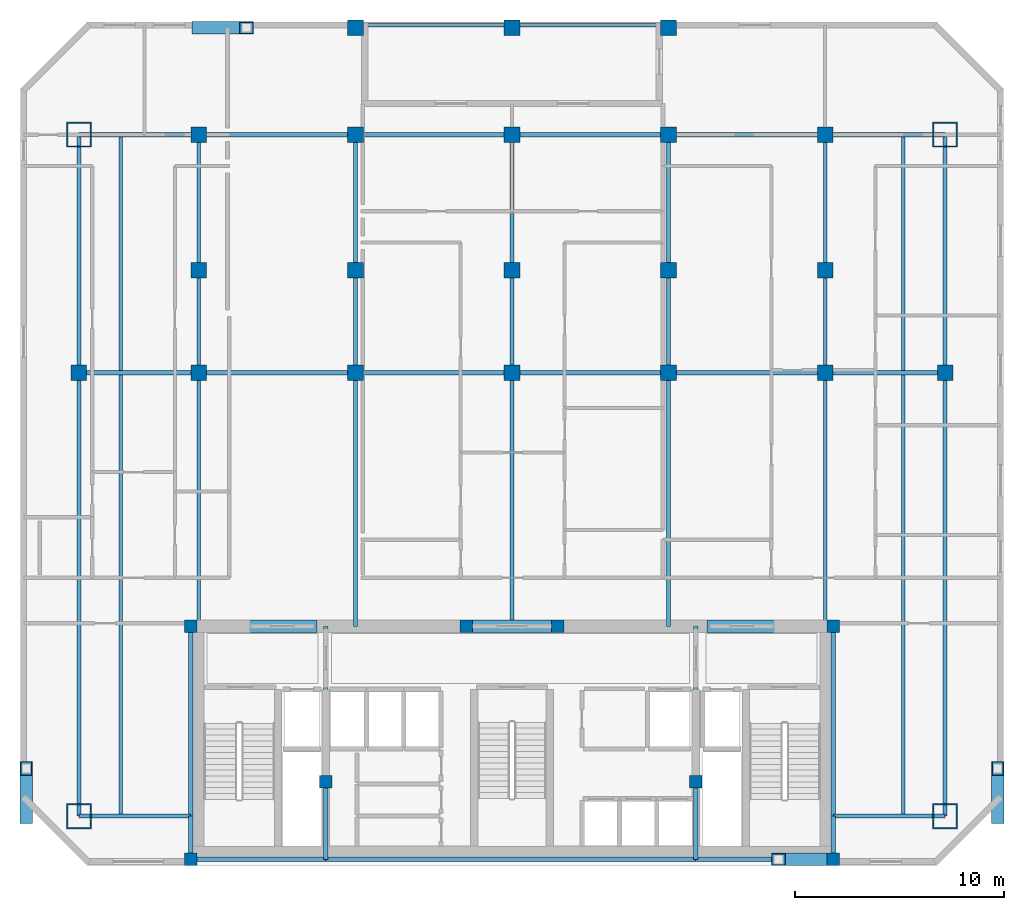
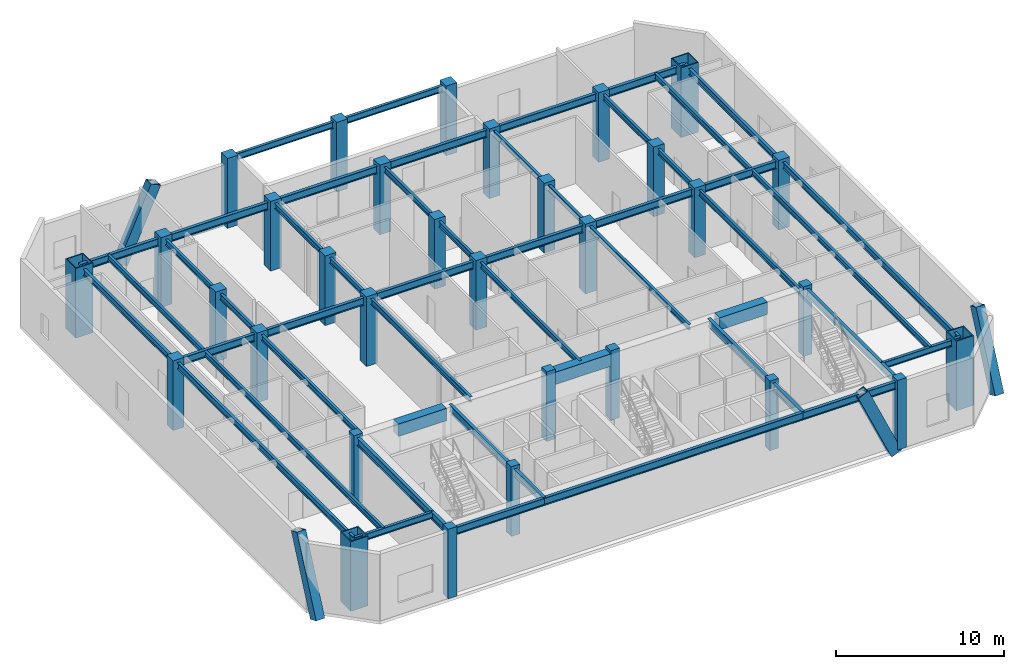
# One storey, part 1 of 8: 48 beams, 32 columns, 4 members.
"""IFC4 building model written with IfcOpenShell, lengths in metres."""

from ifc_helpers import new_model, si_unit, direction, frame, origin, origin_2d, place, context, subcontext, project, spatial, rectangle, hollow_rectangle, i_section, extrude, material, material_profile, profile_set, type_object, element, save


model = new_model("IFC4")

# Units and contexts
model_context = context("Model", 3, precision=1e-05, world=origin(), true_north=direction((0.0, 1.0)))
body_context = subcontext(model_context, "Body", "Model", "MODEL_VIEW")
ifc_project = project(units=[si_unit("LENGTHUNIT", "METRE"), si_unit("AREAUNIT", "SQUARE_METRE"), si_unit("VOLUMEUNIT", "CUBIC_METRE"), si_unit("PLANEANGLEUNIT", "RADIAN"), si_unit("MASSUNIT", "GRAM", prefix="KILO")], contexts=[model_context])

# Site, building, storey
site_placement = place(None, origin())
site = spatial("IfcSite", under=ifc_project, at=site_placement, CompositionType="ELEMENT")
building_placement = place(site_placement, origin())
building = spatial("IfcBuilding", under=site, at=building_placement, Name="Ventersveld Concourse Tower", CompositionType="ELEMENT")
storey_placement = place(building_placement, frame((0.0, 0.0, 187.550048828125)))
storey = spatial("IfcBuildingStorey", under=building, at=storey_placement, Name="L46", CompositionType="ELEMENT", Elevation=187.550048828125)

# Columns
ifc_material_1 = material(Name="Concrete C50/60", Category="concrete")
ifc_material_profile_1 = material_profile(ifc_material_1, rectangle(XDim=0.60009765625, YDim=0.60009765625, at=origin_2d()), Name="RC 600x600")
ifc_profile_set_1 = profile_set([ifc_material_profile_1], Name="Concrete C50/60")
column_type_1 = type_object("IfcColumnType", Name="COL-RC600", PredefinedType="COLUMN", material=ifc_profile_set_1)
for number, where, z_axis, x_axis, name in (
    (1, (13.35009765625, 0.280029296875, 0.0), (0.0, 0.0, 1.0), (1.0, 0.0, 0.0), "L46 Core Spine Column CC-SW"),
    (2, (44.14990234375, 0.280029296875, 0.0), (0.0, 0.0, 1.0), (1.0, 0.0, 0.0), "L46 Core Spine Column CC-SE"),
    (3, (13.35009765625, 11.449951171875, 0.0), (0.0, 0.0, 1.0), (1.0, 0.0, 0.0), "L46 Core Spine Column CC-NW"),
    (4, (44.14990234375, 11.449951171875, 0.0), (0.0, 0.0, 1.0), (1.0, 0.0, 0.0), "L46 Core Spine Column CC-NE"),
    (5, (19.820068359375, 4.0, 0.0), (0.0, 0.0, 1.0), (1.0, 0.0, 0.0), "L46 Core Spine Column CM-1"),
    (6, (37.550048828125, 4.0, 0.0), (0.0, 0.0, 1.0), (1.0, 0.0, 0.0), "L46 Core Spine Column CM-2"),
    (7, (26.550048828125, 11.449951171875, 0.0), (0.0, 0.0, 1.0), (1.0, 0.0, 0.0), "L46 Core Spine Column CM-3"),
    (8, (30.949951171875, 11.449951171875, 0.0), (0.0, 0.0, 1.0), (1.0, 0.0, 0.0), "L46 Core Spine Column CM-4"),
):
    element("IfcColumn", number, at=place(storey_placement, frame(where, z_axis=z_axis, x_axis=x_axis)), inside=storey, type_object=column_type_1, Name=name, PredefinedType="COLUMN", context=body_context, shape_type="SweptSolid", body=[
        extrude(rectangle(XDim=0.60009765625, YDim=0.60009765625, at=origin_2d()), origin(), (0.0, 0.0, 1.0), 5.050048828125),
    ])
ifc_material_profile_2 = material_profile(ifc_material_1, rectangle(XDim=0.75, YDim=0.75, at=origin_2d()), Name="RC 750x750")
ifc_profile_set_2 = profile_set([ifc_material_profile_2], Name="Concrete C50/60")
column_type_2 = type_object("IfcColumnType", Name="COL-RC750", PredefinedType="COLUMN", material=ifc_profile_set_2)
for number, where, z_axis, x_axis, name in (
    (9, (8.0, 23.60009765625, 0.0), (0.0, 0.0, 1.0), (1.0, 0.0, 0.0), "L46 Interior Gravity Column X=8.00 Y=23.60"),
    (10, (13.75, 23.60009765625, 0.0), (0.0, 0.0, 1.0), (1.0, 0.0, 0.0), "L46 Interior Gravity Column X=13.75 Y=23.60"),
    (11, (21.25, 23.60009765625, 0.0), (0.0, 0.0, 1.0), (1.0, 0.0, 0.0), "L46 Interior Gravity Column X=21.25 Y=23.60"),
    (12, (28.75, 23.60009765625, 0.0), (0.0, 0.0, 1.0), (1.0, 0.0, 0.0), "L46 Interior Gravity Column X=28.75 Y=23.60"),
    (13, (36.25, 23.60009765625, 0.0), (0.0, 0.0, 1.0), (1.0, 0.0, 0.0), "L46 Interior Gravity Column X=36.25 Y=23.60"),
    (14, (43.75, 23.60009765625, 0.0), (0.0, 0.0, 1.0), (1.0, 0.0, 0.0), "L46 Interior Gravity Column X=43.75 Y=23.60"),
    (15, (49.5, 23.60009765625, 0.0), (0.0, 0.0, 1.0), (1.0, 0.0, 0.0), "L46 Interior Gravity Column X=49.50 Y=23.60"),
    (16, (13.75, 28.5, 0.0), (0.0, 0.0, 1.0), (1.0, 0.0, 0.0), "L46 Upper-North Gravity Column X=13.75 Y=28.50"),
    (17, (21.25, 28.5, 0.0), (0.0, 0.0, 1.0), (1.0, 0.0, 0.0), "L46 Upper-North Gravity Column X=21.25 Y=28.50"),
    (18, (28.75, 28.5, 0.0), (0.0, 0.0, 1.0), (1.0, 0.0, 0.0), "L46 Upper-North Gravity Column X=28.75 Y=28.50"),
    (19, (36.25, 28.5, 0.0), (0.0, 0.0, 1.0), (1.0, 0.0, 0.0), "L46 Upper-North Gravity Column X=36.25 Y=28.50"),
    (20, (43.75, 28.5, 0.0), (0.0, 0.0, 1.0), (1.0, 0.0, 0.0), "L46 Upper-North Gravity Column X=43.75 Y=28.50"),
    (21, (21.25, 40.1201171875, 0.0), (0.0, 0.0, 1.0), (1.0, 0.0, 0.0), "L46 North Brace Node Column X=21.25 Y=40.12"),
    (22, (28.75, 40.1201171875, 0.0), (0.0, 0.0, 1.0), (1.0, 0.0, 0.0), "L46 North Brace Node Column X=28.75 Y=40.12"),
    (23, (36.25, 40.1201171875, 0.0), (0.0, 0.0, 1.0), (1.0, 0.0, 0.0), "L46 North Brace Node Column X=36.25 Y=40.12"),
    (24, (13.75, 35.0, 0.0), (0.0, 0.0, 1.0), (1.0, 0.0, 0.0), "L46 Mid-North Column X=13.75 Y=35.00"),
    (25, (21.25, 35.0, 0.0), (0.0, 0.0, 1.0), (1.0, 0.0, 0.0), "L46 Mid-North Column X=21.25 Y=35.00"),
    (26, (28.75, 35.0, 0.0), (0.0, 0.0, 1.0), (1.0, 0.0, 0.0), "L46 Mid-North Column X=28.75 Y=35.00"),
    (27, (36.25, 35.0, 0.0), (0.0, 0.0, 1.0), (1.0, 0.0, 0.0), "L46 Mid-North Column X=36.25 Y=35.00"),
    (28, (43.75, 35.0, 0.0), (0.0, 0.0, 1.0), (1.0, 0.0, 0.0), "L46 Mid-North Column X=43.75 Y=35.00"),
):
    element("IfcColumn", number, at=place(storey_placement, frame(where, z_axis=z_axis, x_axis=x_axis)), inside=storey, type_object=column_type_2, Name=name, PredefinedType="COLUMN", context=body_context, shape_type="SweptSolid", body=[
        extrude(rectangle(XDim=0.75, YDim=0.75, at=origin_2d()), origin(), (0.0, 0.0, 1.0), 5.050048828125),
    ])
ifc_material_2 = material(Name="Structural steel S460ML", Category="steel")
ifc_material_profile_3 = material_profile(ifc_material_2, hollow_rectangle(XDim=1.199951171875, YDim=1.199951171875, WallThickness=0.070068359375, at=origin_2d()), Name="BOX 1200x1200x70")
ifc_profile_set_3 = profile_set([ifc_material_profile_3], Name="Structural steel S460ML")
column_type_3 = type_object("IfcColumnType", Name="MC-1200", PredefinedType="USERDEFINED", material=ifc_profile_set_3)
for number, where, z_axis, x_axis, name in (
    (29, (8.0, 2.35009765625, 0.0), (0.0, 0.0, 1.0), (1.0, 0.0, 0.0), "L46 Corner Mega-Column MC-SW"),
    (30, (49.5, 2.35009765625, 0.0), (0.0, 0.0, 1.0), (1.0, 0.0, 0.0), "L46 Corner Mega-Column MC-SE"),
    (31, (49.5, 35.0, 0.0), (0.0, 0.0, 1.0), (1.0, 0.0, 0.0), "L46 Corner Mega-Column MC-NE"),
    (32, (8.0, 35.0, 0.0), (0.0, 0.0, 1.0), (1.0, 0.0, 0.0), "L46 Corner Mega-Column MC-NW"),
):
    element("IfcColumn", number, at=place(storey_placement, frame(where, z_axis=z_axis, x_axis=x_axis)), inside=storey, type_object=column_type_3, Name=name, ObjectType="MEGA_COLUMN", PredefinedType="USERDEFINED", context=body_context, shape_type="SweptSolid", body=[
        extrude(hollow_rectangle(XDim=1.199951171875, YDim=1.199951171875, WallThickness=0.070068359375, at=origin_2d()), origin(), (0.0, 0.0, 1.0), 5.050048828125),
    ])

# Beams
ifc_material_3 = material(Name="Structural steel S355J2", Category="steel")
ifc_material_profile_4 = material_profile(ifc_material_3, i_section(OverallWidth=0.177978515625, OverallDepth=0.406494140625, WebThickness=0.0078125, FlangeThickness=0.0126953125, FilletRadius=0.01025390625, at=origin_2d()), Name="UB 406x178x60")
ifc_profile_set_4 = profile_set([ifc_material_profile_4], Name="Structural steel S355J2")
beam_type_1 = type_object("IfcBeamType", Name="BM-UB406", PredefinedType="BEAM", material=ifc_profile_set_4)
beam_1_placement = place(storey_placement, frame((10.0, 2.35009765625, 4.626708984375), z_axis=(0.0, 1.0, 0.0), x_axis=(-1.0, 0.0, 0.0)))
element("IfcBeam", 33, at=beam_1_placement, inside=storey, type_object=beam_type_1, Name="L46 N-S Composite Floor Beam South X=10.00", PredefinedType="BEAM", context=body_context, shape_type="SweptSolid", body=[
    extrude(i_section(OverallWidth=0.177978515625, OverallDepth=0.406494140625, WebThickness=0.0078125, FlangeThickness=0.0126953125, FilletRadius=0.01025390625, at=origin_2d()), origin(), (0.0, 0.0, 1.0), 21.15478515625),
])
beam_2_placement = place(storey_placement, frame((10.0, 23.695068359375, 4.626708984375), z_axis=(0.0, 1.0, 0.0), x_axis=(-1.0, 0.0, 0.0)))
element("IfcBeam", 34, at=beam_2_placement, inside=storey, type_object=beam_type_1, Name="L46 N-S Composite Floor Beam Mid X=10.00", PredefinedType="BEAM", context=body_context, shape_type="SweptSolid", body=[
    extrude(i_section(OverallWidth=0.177978515625, OverallDepth=0.406494140625, WebThickness=0.0078125, FlangeThickness=0.0126953125, FilletRadius=0.01025390625, at=origin_2d()), origin(), (0.0, 0.0, 1.0), 11.304931640625),
])
beam_3_placement = place(storey_placement, frame((13.75, 11.449951171875, 4.626708984375), z_axis=(0.0, 1.0, 0.0), x_axis=(-1.0, 0.0, 0.0)))
element("IfcBeam", 35, at=beam_3_placement, inside=storey, type_object=beam_type_1, Name="L46 N-S Composite Floor Beam South X=13.75", PredefinedType="BEAM", context=body_context, shape_type="SweptSolid", body=[
    extrude(i_section(OverallWidth=0.177978515625, OverallDepth=0.406494140625, WebThickness=0.0078125, FlangeThickness=0.0126953125, FilletRadius=0.01025390625, at=origin_2d()), origin(), (0.0, 0.0, 1.0), 12.150146484375),
])
beam_4_placement = place(storey_placement, frame((13.75, 23.60009765625, 4.626708984375), z_axis=(0.0, 1.0, 0.0), x_axis=(-1.0, 0.0, 0.0)))
element("IfcBeam", 36, at=beam_4_placement, inside=storey, type_object=beam_type_1, Name="L46 N-S Composite Floor Beam Mid X=13.75", PredefinedType="BEAM", context=body_context, shape_type="SweptSolid", body=[
    extrude(i_section(OverallWidth=0.177978515625, OverallDepth=0.406494140625, WebThickness=0.0078125, FlangeThickness=0.0126953125, FilletRadius=0.01025390625, at=origin_2d()), origin(), (0.0, 0.0, 1.0), 11.39990234375),
])
beam_5_placement = place(storey_placement, frame((21.25, 11.449951171875, 4.626708984375), z_axis=(0.0, 1.0, 0.0), x_axis=(-1.0, 0.0, 0.0)))
element("IfcBeam", 37, at=beam_5_placement, inside=storey, type_object=beam_type_1, Name="L46 N-S Composite Floor Beam South X=21.25", PredefinedType="BEAM", context=body_context, shape_type="SweptSolid", body=[
    extrude(i_section(OverallWidth=0.177978515625, OverallDepth=0.406494140625, WebThickness=0.0078125, FlangeThickness=0.0126953125, FilletRadius=0.01025390625, at=origin_2d()), origin(), (0.0, 0.0, 1.0), 12.150146484375),
])
beam_6_placement = place(storey_placement, frame((21.25, 23.60009765625, 4.626708984375), z_axis=(0.0, 1.0, 0.0), x_axis=(-1.0, 0.0, 0.0)))
element("IfcBeam", 38, at=beam_6_placement, inside=storey, type_object=beam_type_1, Name="L46 N-S Composite Floor Beam Mid X=21.25", PredefinedType="BEAM", context=body_context, shape_type="SweptSolid", body=[
    extrude(i_section(OverallWidth=0.177978515625, OverallDepth=0.406494140625, WebThickness=0.0078125, FlangeThickness=0.0126953125, FilletRadius=0.01025390625, at=origin_2d()), origin(), (0.0, 0.0, 1.0), 11.39990234375),
])
beam_7_placement = place(storey_placement, frame((28.75, 11.449951171875, 4.626708984375), z_axis=(0.0, 1.0, 0.0), x_axis=(-1.0, 0.0, 0.0)))
element("IfcBeam", 39, at=beam_7_placement, inside=storey, type_object=beam_type_1, Name="L46 N-S Composite Floor Beam South X=28.75", PredefinedType="BEAM", context=body_context, shape_type="SweptSolid", body=[
    extrude(i_section(OverallWidth=0.177978515625, OverallDepth=0.406494140625, WebThickness=0.0078125, FlangeThickness=0.0126953125, FilletRadius=0.01025390625, at=origin_2d()), origin(), (0.0, 0.0, 1.0), 12.150146484375),
])
beam_8_placement = place(storey_placement, frame((28.75, 23.60009765625, 4.626708984375), z_axis=(0.0, 1.0, 0.0), x_axis=(-1.0, 0.0, 0.0)))
element("IfcBeam", 40, at=beam_8_placement, inside=storey, type_object=beam_type_1, Name="L46 N-S Composite Floor Beam Mid X=28.75", PredefinedType="BEAM", context=body_context, shape_type="SweptSolid", body=[
    extrude(i_section(OverallWidth=0.177978515625, OverallDepth=0.406494140625, WebThickness=0.0078125, FlangeThickness=0.0126953125, FilletRadius=0.01025390625, at=origin_2d()), origin(), (0.0, 0.0, 1.0), 11.39990234375),
])
beam_9_placement = place(storey_placement, frame((36.25, 11.449951171875, 4.626708984375), z_axis=(0.0, 1.0, 0.0), x_axis=(-1.0, 0.0, 0.0)))
element("IfcBeam", 41, at=beam_9_placement, inside=storey, type_object=beam_type_1, Name="L46 N-S Composite Floor Beam South X=36.25", PredefinedType="BEAM", context=body_context, shape_type="SweptSolid", body=[
    extrude(i_section(OverallWidth=0.177978515625, OverallDepth=0.406494140625, WebThickness=0.0078125, FlangeThickness=0.0126953125, FilletRadius=0.01025390625, at=origin_2d()), origin(), (0.0, 0.0, 1.0), 12.150146484375),
])
beam_10_placement = place(storey_placement, frame((36.25, 23.60009765625, 4.626708984375), z_axis=(0.0, 1.0, 0.0), x_axis=(-1.0, 0.0, 0.0)))
element("IfcBeam", 42, at=beam_10_placement, inside=storey, type_object=beam_type_1, Name="L46 N-S Composite Floor Beam Mid X=36.25", PredefinedType="BEAM", context=body_context, shape_type="SweptSolid", body=[
    extrude(i_section(OverallWidth=0.177978515625, OverallDepth=0.406494140625, WebThickness=0.0078125, FlangeThickness=0.0126953125, FilletRadius=0.01025390625, at=origin_2d()), origin(), (0.0, 0.0, 1.0), 11.39990234375),
])
beam_11_placement = place(storey_placement, frame((43.75, 11.449951171875, 4.626708984375), z_axis=(0.0, 1.0, 0.0), x_axis=(-1.0, 0.0, 0.0)))
element("IfcBeam", 43, at=beam_11_placement, inside=storey, type_object=beam_type_1, Name="L46 N-S Composite Floor Beam South X=43.75", PredefinedType="BEAM", context=body_context, shape_type="SweptSolid", body=[
    extrude(i_section(OverallWidth=0.177978515625, OverallDepth=0.406494140625, WebThickness=0.0078125, FlangeThickness=0.0126953125, FilletRadius=0.01025390625, at=origin_2d()), origin(), (0.0, 0.0, 1.0), 12.150146484375),
])
beam_12_placement = place(storey_placement, frame((43.75, 23.60009765625, 4.626708984375), z_axis=(0.0, 1.0, 0.0), x_axis=(-1.0, 0.0, 0.0)))
element("IfcBeam", 44, at=beam_12_placement, inside=storey, type_object=beam_type_1, Name="L46 N-S Composite Floor Beam Mid X=43.75", PredefinedType="BEAM", context=body_context, shape_type="SweptSolid", body=[
    extrude(i_section(OverallWidth=0.177978515625, OverallDepth=0.406494140625, WebThickness=0.0078125, FlangeThickness=0.0126953125, FilletRadius=0.01025390625, at=origin_2d()), origin(), (0.0, 0.0, 1.0), 11.39990234375),
])
beam_13_placement = place(storey_placement, frame((47.5, 2.35009765625, 4.626708984375), z_axis=(0.0, 1.0, 0.0), x_axis=(-1.0, 0.0, 0.0)))
element("IfcBeam", 45, at=beam_13_placement, inside=storey, type_object=beam_type_1, Name="L46 N-S Composite Floor Beam South X=47.50", PredefinedType="BEAM", context=body_context, shape_type="SweptSolid", body=[
    extrude(i_section(OverallWidth=0.177978515625, OverallDepth=0.406494140625, WebThickness=0.0078125, FlangeThickness=0.0126953125, FilletRadius=0.01025390625, at=origin_2d()), origin(), (0.0, 0.0, 1.0), 21.15478515625),
])
beam_14_placement = place(storey_placement, frame((47.5, 23.695068359375, 4.626708984375), z_axis=(0.0, 1.0, 0.0), x_axis=(-1.0, 0.0, 0.0)))
element("IfcBeam", 46, at=beam_14_placement, inside=storey, type_object=beam_type_1, Name="L46 N-S Composite Floor Beam Mid X=47.50", PredefinedType="BEAM", context=body_context, shape_type="SweptSolid", body=[
    extrude(i_section(OverallWidth=0.177978515625, OverallDepth=0.406494140625, WebThickness=0.0078125, FlangeThickness=0.0126953125, FilletRadius=0.01025390625, at=origin_2d()), origin(), (0.0, 0.0, 1.0), 11.304931640625),
])
ifc_material_profile_5 = material_profile(ifc_material_1, rectangle(XDim=0.60009765625, YDim=0.89990234375, at=origin_2d()), Name="RC 600x900")
ifc_profile_set_5 = profile_set([ifc_material_profile_5], Name="Concrete C50/60")
beam_type_2 = type_object("IfcBeamType", Name="CB-RC600x900U", PredefinedType="LINTEL", material=ifc_profile_set_5)
beam_15_placement = place(storey_placement, frame((16.10009765625, 11.449951171875, 4.3798828125), z_axis=(1.0, 0.0, 0.0), x_axis=(0.0, 1.0, 0.0)))
element("IfcBeam", 47, at=beam_15_placement, inside=storey, type_object=beam_type_2, Name="L46 Core Coupling Lintel Beam 1", PredefinedType="LINTEL", context=body_context, shape_type="SweptSolid", body=[
    extrude(rectangle(XDim=0.60009765625, YDim=0.89990234375, at=origin_2d()), origin(), (0.0, 0.0, 1.0), 3.2998046875),
])
beam_16_placement = place(storey_placement, frame((26.5, 11.449951171875, 4.3798828125), z_axis=(1.0, 0.0, 0.0), x_axis=(0.0, 1.0, 0.0)))
element("IfcBeam", 48, at=beam_16_placement, inside=storey, type_object=beam_type_2, Name="L46 Core Coupling Lintel Beam 2", PredefinedType="LINTEL", context=body_context, shape_type="SweptSolid", body=[
    extrude(rectangle(XDim=0.60009765625, YDim=0.89990234375, at=origin_2d()), origin(), (0.0, 0.0, 1.0), 4.5),
])
beam_17_placement = place(storey_placement, frame((38.10009765625, 11.449951171875, 4.3798828125), z_axis=(1.0, 0.0, 0.0), x_axis=(0.0, 1.0, 0.0)))
element("IfcBeam", 49, at=beam_17_placement, inside=storey, type_object=beam_type_2, Name="L46 Core Coupling Lintel Beam 3", PredefinedType="LINTEL", context=body_context, shape_type="SweptSolid", body=[
    extrude(rectangle(XDim=0.60009765625, YDim=0.89990234375, at=origin_2d()), origin(), (0.0, 0.0, 1.0), 3.2998046875),
])
ifc_material_profile_6 = material_profile(ifc_material_3, i_section(OverallWidth=0.2119140625, OverallDepth=0.54443359375, WebThickness=0.0126953125, FlangeThickness=0.021240234375, FilletRadius=0.0126953125, at=origin_2d()), Name="UB 533x210x122")
ifc_profile_set_6 = profile_set([ifc_material_profile_6], Name="Structural steel S355J2")
beam_type_3 = type_object("IfcBeamType", Name="GRD-UB533H", PredefinedType="T_BEAM", material=ifc_profile_set_6)
beam_18_placement = place(storey_placement, frame((13.35009765625, 0.280029296875, 4.5576171875), z_axis=(0.0, 1.0, 0.0), x_axis=(-1.0, 0.0, 0.0)))
element("IfcBeam", 50, at=beam_18_placement, inside=storey, type_object=beam_type_3, Name="L46 Core West Tie Beam S", PredefinedType="T_BEAM", context=body_context, shape_type="SweptSolid", body=[
    extrude(i_section(OverallWidth=0.2119140625, OverallDepth=0.54443359375, WebThickness=0.0126953125, FlangeThickness=0.021240234375, FilletRadius=0.0126953125, at=origin_2d()), origin(), (0.0, 0.0, 1.0), 2.070068359375),
])
beam_19_placement = place(storey_placement, frame((13.35009765625, 2.35009765625, 4.5576171875), z_axis=(0.0, 1.0, 0.0), x_axis=(-1.0, 0.0, 0.0)))
element("IfcBeam", 51, at=beam_19_placement, inside=storey, type_object=beam_type_3, Name="L46 Core West Tie Beam N", PredefinedType="T_BEAM", context=body_context, shape_type="SweptSolid", body=[
    extrude(i_section(OverallWidth=0.2119140625, OverallDepth=0.54443359375, WebThickness=0.0126953125, FlangeThickness=0.021240234375, FilletRadius=0.0126953125, at=origin_2d()), origin(), (0.0, 0.0, 1.0), 9.099853515625),
])
beam_20_placement = place(storey_placement, frame((44.14990234375, 0.280029296875, 4.5576171875), z_axis=(0.0, 1.0, 0.0), x_axis=(-1.0, 0.0, 0.0)))
element("IfcBeam", 52, at=beam_20_placement, inside=storey, type_object=beam_type_3, Name="L46 Core East Tie Beam S", PredefinedType="T_BEAM", context=body_context, shape_type="SweptSolid", body=[
    extrude(i_section(OverallWidth=0.2119140625, OverallDepth=0.54443359375, WebThickness=0.0126953125, FlangeThickness=0.021240234375, FilletRadius=0.0126953125, at=origin_2d()), origin(), (0.0, 0.0, 1.0), 2.070068359375),
])
beam_21_placement = place(storey_placement, frame((44.14990234375, 2.35009765625, 4.5576171875), z_axis=(0.0, 1.0, 0.0), x_axis=(-1.0, 0.0, 0.0)))
element("IfcBeam", 53, at=beam_21_placement, inside=storey, type_object=beam_type_3, Name="L46 Core East Tie Beam N", PredefinedType="T_BEAM", context=body_context, shape_type="SweptSolid", body=[
    extrude(i_section(OverallWidth=0.2119140625, OverallDepth=0.54443359375, WebThickness=0.0126953125, FlangeThickness=0.021240234375, FilletRadius=0.0126953125, at=origin_2d()), origin(), (0.0, 0.0, 1.0), 9.099853515625),
])
beam_22_placement = place(storey_placement, frame((13.35009765625, 0.280029296875, 4.5576171875), z_axis=(1.0, 0.0, 0.0), x_axis=(0.0, 1.0, 0.0)))
element("IfcBeam", 54, at=beam_22_placement, inside=storey, type_object=beam_type_3, Name="L46 Core South Tie Beam W", PredefinedType="T_BEAM", context=body_context, shape_type="SweptSolid", body=[
    extrude(i_section(OverallWidth=0.2119140625, OverallDepth=0.54443359375, WebThickness=0.0126953125, FlangeThickness=0.021240234375, FilletRadius=0.0126953125, at=origin_2d()), origin(), (0.0, 0.0, 1.0), 6.469970703125),
])
beam_23_placement = place(storey_placement, frame((19.820068359375, 0.280029296875, 4.5576171875), z_axis=(1.0, 0.0, 0.0), x_axis=(0.0, 1.0, 0.0)))
element("IfcBeam", 55, at=beam_23_placement, inside=storey, type_object=beam_type_3, Name="L46 Core South Tie Beam C", PredefinedType="T_BEAM", context=body_context, shape_type="SweptSolid", body=[
    extrude(i_section(OverallWidth=0.2119140625, OverallDepth=0.54443359375, WebThickness=0.0126953125, FlangeThickness=0.021240234375, FilletRadius=0.0126953125, at=origin_2d()), origin(), (0.0, 0.0, 1.0), 17.72998046875),
])
beam_24_placement = place(storey_placement, frame((37.550048828125, 0.280029296875, 4.5576171875), z_axis=(1.0, 0.0, 0.0), x_axis=(0.0, 1.0, 0.0)))
element("IfcBeam", 56, at=beam_24_placement, inside=storey, type_object=beam_type_3, Name="L46 Core South Tie Beam E", PredefinedType="T_BEAM", context=body_context, shape_type="SweptSolid", body=[
    extrude(i_section(OverallWidth=0.2119140625, OverallDepth=0.54443359375, WebThickness=0.0126953125, FlangeThickness=0.021240234375, FilletRadius=0.0126953125, at=origin_2d()), origin(), (0.0, 0.0, 1.0), 6.599853515625),
])
beam_25_placement = place(storey_placement, frame((19.820068359375, 0.280029296875, 4.5576171875), z_axis=(0.0, 1.0, 0.0), x_axis=(-1.0, 0.0, 0.0)))
element("IfcBeam", 57, at=beam_25_placement, inside=storey, type_object=beam_type_3, Name="L46 Core Spine N-S Tie Beam W1", PredefinedType="T_BEAM", context=body_context, shape_type="SweptSolid", body=[
    extrude(i_section(OverallWidth=0.2119140625, OverallDepth=0.54443359375, WebThickness=0.0126953125, FlangeThickness=0.021240234375, FilletRadius=0.0126953125, at=origin_2d()), origin(), (0.0, 0.0, 1.0), 3.719970703125),
])
beam_26_placement = place(storey_placement, frame((19.820068359375, 4.0, 4.5576171875), z_axis=(0.0, 1.0, 0.0), x_axis=(-1.0, 0.0, 0.0)))
element("IfcBeam", 58, at=beam_26_placement, inside=storey, type_object=beam_type_3, Name="L46 Core Spine N-S Tie Beam W2", PredefinedType="T_BEAM", context=body_context, shape_type="SweptSolid", body=[
    extrude(i_section(OverallWidth=0.2119140625, OverallDepth=0.54443359375, WebThickness=0.0126953125, FlangeThickness=0.021240234375, FilletRadius=0.0126953125, at=origin_2d()), origin(), (0.0, 0.0, 1.0), 7.449951171875),
])
beam_27_placement = place(storey_placement, frame((37.550048828125, 0.280029296875, 4.5576171875), z_axis=(0.0, 1.0, 0.0), x_axis=(-1.0, 0.0, 0.0)))
element("IfcBeam", 59, at=beam_27_placement, inside=storey, type_object=beam_type_3, Name="L46 Core Spine N-S Tie Beam E1", PredefinedType="T_BEAM", context=body_context, shape_type="SweptSolid", body=[
    extrude(i_section(OverallWidth=0.2119140625, OverallDepth=0.54443359375, WebThickness=0.0126953125, FlangeThickness=0.021240234375, FilletRadius=0.0126953125, at=origin_2d()), origin(), (0.0, 0.0, 1.0), 3.719970703125),
])
beam_28_placement = place(storey_placement, frame((37.550048828125, 4.0, 4.5576171875), z_axis=(0.0, 1.0, 0.0), x_axis=(-1.0, 0.0, 0.0)))
element("IfcBeam", 60, at=beam_28_placement, inside=storey, type_object=beam_type_3, Name="L46 Core Spine N-S Tie Beam E2", PredefinedType="T_BEAM", context=body_context, shape_type="SweptSolid", body=[
    extrude(i_section(OverallWidth=0.2119140625, OverallDepth=0.54443359375, WebThickness=0.0126953125, FlangeThickness=0.021240234375, FilletRadius=0.0126953125, at=origin_2d()), origin(), (0.0, 0.0, 1.0), 7.449951171875),
])
beam_29_placement = place(storey_placement, frame((8.0, 23.60009765625, 4.5576171875), z_axis=(1.0, 0.0, 0.0), x_axis=(0.0, 1.0, 0.0)))
element("IfcBeam", 61, at=beam_29_placement, inside=storey, type_object=beam_type_3, Name="L46 Primary E-W Grid Girder Y=23.60 #1", PredefinedType="T_BEAM", context=body_context, shape_type="SweptSolid", body=[
    extrude(i_section(OverallWidth=0.2119140625, OverallDepth=0.54443359375, WebThickness=0.0126953125, FlangeThickness=0.021240234375, FilletRadius=0.0126953125, at=origin_2d()), origin(), (0.0, 0.0, 1.0), 5.75),
])
for number, where, z_axis, x_axis, name in (
    (62, (13.75, 23.60009765625, 4.5576171875), (1.0, 0.0, 0.0), (0.0, 1.0, 0.0), "L46 Primary E-W Grid Girder Y=23.60 #2"),
    (63, (21.25, 23.60009765625, 4.5576171875), (1.0, 0.0, 0.0), (0.0, 1.0, 0.0), "L46 Primary E-W Grid Girder Y=23.60 #3"),
    (64, (28.75, 23.60009765625, 4.5576171875), (1.0, 0.0, 0.0), (0.0, 1.0, 0.0), "L46 Primary E-W Grid Girder Y=23.60 #4"),
    (65, (36.25, 23.60009765625, 4.5576171875), (1.0, 0.0, 0.0), (0.0, 1.0, 0.0), "L46 Primary E-W Grid Girder Y=23.60 #5"),
):
    element("IfcBeam", number, at=place(storey_placement, frame(where, z_axis=z_axis, x_axis=x_axis)), inside=storey, type_object=beam_type_3, Name=name, PredefinedType="T_BEAM", context=body_context, shape_type="SweptSolid", body=[
        extrude(i_section(OverallWidth=0.2119140625, OverallDepth=0.54443359375, WebThickness=0.0126953125, FlangeThickness=0.021240234375, FilletRadius=0.0126953125, at=origin_2d()), origin(), (0.0, 0.0, 1.0), 7.5),
    ])
for number, where, z_axis, x_axis, name in (
    (66, (43.75, 23.60009765625, 4.5576171875), (1.0, 0.0, 0.0), (0.0, 1.0, 0.0), "L46 Primary E-W Grid Girder Y=23.60 #6"),
    (67, (8.0, 35.0, 4.5576171875), (1.0, 0.0, 0.0), (0.0, 1.0, 0.0), "L46 E-W Grid Girder Y=35.00 #1"),
):
    element("IfcBeam", number, at=place(storey_placement, frame(where, z_axis=z_axis, x_axis=x_axis)), inside=storey, type_object=beam_type_3, Name=name, PredefinedType="T_BEAM", context=body_context, shape_type="SweptSolid", body=[
        extrude(i_section(OverallWidth=0.2119140625, OverallDepth=0.54443359375, WebThickness=0.0126953125, FlangeThickness=0.021240234375, FilletRadius=0.0126953125, at=origin_2d()), origin(), (0.0, 0.0, 1.0), 5.75),
    ])
for number, where, z_axis, x_axis, name in (
    (68, (13.75, 35.0, 4.5576171875), (1.0, 0.0, 0.0), (0.0, 1.0, 0.0), "L46 E-W Grid Girder Y=35.00 #2"),
    (69, (21.25, 35.0, 4.5576171875), (1.0, 0.0, 0.0), (0.0, 1.0, 0.0), "L46 E-W Grid Girder Y=35.00 #3"),
    (70, (28.75, 35.0, 4.5576171875), (1.0, 0.0, 0.0), (0.0, 1.0, 0.0), "L46 E-W Grid Girder Y=35.00 #4"),
    (71, (36.25, 35.0, 4.5576171875), (1.0, 0.0, 0.0), (0.0, 1.0, 0.0), "L46 E-W Grid Girder Y=35.00 #5"),
):
    element("IfcBeam", number, at=place(storey_placement, frame(where, z_axis=z_axis, x_axis=x_axis)), inside=storey, type_object=beam_type_3, Name=name, PredefinedType="T_BEAM", context=body_context, shape_type="SweptSolid", body=[
        extrude(i_section(OverallWidth=0.2119140625, OverallDepth=0.54443359375, WebThickness=0.0126953125, FlangeThickness=0.021240234375, FilletRadius=0.0126953125, at=origin_2d()), origin(), (0.0, 0.0, 1.0), 7.5),
    ])
beam_30_placement = place(storey_placement, frame((43.75, 35.0, 4.5576171875), z_axis=(1.0, 0.0, 0.0), x_axis=(0.0, 1.0, 0.0)))
element("IfcBeam", 72, at=beam_30_placement, inside=storey, type_object=beam_type_3, Name="L46 E-W Grid Girder Y=35.00 #6", PredefinedType="T_BEAM", context=body_context, shape_type="SweptSolid", body=[
    extrude(i_section(OverallWidth=0.2119140625, OverallDepth=0.54443359375, WebThickness=0.0126953125, FlangeThickness=0.021240234375, FilletRadius=0.0126953125, at=origin_2d()), origin(), (0.0, 0.0, 1.0), 5.75),
])

# Members
ifc_material_4 = material(Name="Structural steel S355ML", Category="steel")
ifc_material_profile_7 = material_profile(ifc_material_4, hollow_rectangle(XDim=0.60009765625, YDim=0.75, WallThickness=0.0400390625, at=origin_2d()), Name="BOX 750x600x40")
ifc_profile_set_7 = profile_set([ifc_material_profile_7], Name="Structural steel S355ML")
member_type = type_object("IfcMemberType", Name="MB-750x600", PredefinedType="BRACE", material=ifc_profile_set_7)
for number, where, z_axis, x_axis, name in (
    (73, (13.75, 40.1201171875, -0.219970703125), (0.411727194641, 0.0, 0.91130714756), (0.0, 1.0, 0.0), "L46 Exterior Mega-Brace N (Module M11)"),
    (74, (43.800048828125, 0.280029296875, -0.219970703125), (-0.411763783425, 0.0, 0.911290615918), (0.0, -1.0, 0.0), "L46 Exterior Mega-Brace S (Module M11)"),
    (75, (5.47998046875, 2.35009765625, -0.219970703125), (0.0, 0.411727194641, 0.91130714756), (-1.0, 0.0, 0.0), "L46 Exterior Mega-Brace W (Module M11)"),
    (76, (52.02001953125, 2.35009765625, -0.219970703125), (0.0, 0.411727194641, 0.91130714756), (-1.0, 0.0, 0.0), "L46 Exterior Mega-Brace E (Module M11)"),
):
    element("IfcMember", number, at=place(storey_placement, frame(where, z_axis=z_axis, x_axis=x_axis)), inside=storey, type_object=member_type, Name=name, PredefinedType="BRACE", context=body_context, shape_type="SweptSolid", body=[
        extrude(hollow_rectangle(XDim=0.60009765625, YDim=0.75, WallThickness=0.0400390625, at=origin_2d()), origin(), (0.0, 0.0, 1.0), 5.541259765625),
    ])

# Beams
ifc_material_profile_8 = material_profile(ifc_material_3, i_section(OverallWidth=0.19140625, OverallDepth=0.4599609375, WebThickness=0.010009765625, FlangeThickness=0.01611328125, FilletRadius=0.01025390625, at=origin_2d()), Name="UB 457x191x82")
ifc_profile_set_8 = profile_set([ifc_material_profile_8], Name="Structural steel S355J2")
beam_type_4 = type_object("IfcBeamType", Name="SPD-UB457", PredefinedType="SPANDREL", material=ifc_profile_set_8)
for number, where, z_axis, x_axis, name in (
    (77, (8.0, 2.35009765625, 4.599853515625), (1.0, 0.0, 0.0), (0.0, 1.0, 0.0), "L46 SW Spandrel Beam"),
    (78, (44.14990234375, 2.35009765625, 4.599853515625), (1.0, 0.0, 0.0), (0.0, 1.0, 0.0), "L46 SE Spandrel Beam"),
):
    element("IfcBeam", number, at=place(storey_placement, frame(where, z_axis=z_axis, x_axis=x_axis)), inside=storey, type_object=beam_type_4, Name=name, PredefinedType="SPANDREL", context=body_context, shape_type="SweptSolid", body=[
        extrude(i_section(OverallWidth=0.19140625, OverallDepth=0.4599609375, WebThickness=0.010009765625, FlangeThickness=0.01611328125, FilletRadius=0.01025390625, at=origin_2d()), origin(), (0.0, 0.0, 1.0), 5.35009765625),
    ])
beam_31_placement = place(storey_placement, frame((8.0, 2.35009765625, 4.599853515625), z_axis=(0.0, 1.0, 0.0), x_axis=(-1.0, 0.0, 0.0)))
element("IfcBeam", 79, at=beam_31_placement, inside=storey, type_object=beam_type_4, Name="L46 West Spandrel Beam S", PredefinedType="SPANDREL", context=body_context, shape_type="SweptSolid", body=[
    extrude(i_section(OverallWidth=0.19140625, OverallDepth=0.4599609375, WebThickness=0.010009765625, FlangeThickness=0.01611328125, FilletRadius=0.01025390625, at=origin_2d()), origin(), (0.0, 0.0, 1.0), 21.25),
])
beam_32_placement = place(storey_placement, frame((8.0, 23.60009765625, 4.599853515625), z_axis=(0.0, 1.0, 0.0), x_axis=(-1.0, 0.0, 0.0)))
element("IfcBeam", 80, at=beam_32_placement, inside=storey, type_object=beam_type_4, Name="L46 West Spandrel Beam N", PredefinedType="SPANDREL", context=body_context, shape_type="SweptSolid", body=[
    extrude(i_section(OverallWidth=0.19140625, OverallDepth=0.4599609375, WebThickness=0.010009765625, FlangeThickness=0.01611328125, FilletRadius=0.01025390625, at=origin_2d()), origin(), (0.0, 0.0, 1.0), 11.39990234375),
])
beam_33_placement = place(storey_placement, frame((49.5, 2.35009765625, 4.599853515625), z_axis=(0.0, 1.0, 0.0), x_axis=(-1.0, 0.0, 0.0)))
element("IfcBeam", 81, at=beam_33_placement, inside=storey, type_object=beam_type_4, Name="L46 East Spandrel Beam S", PredefinedType="SPANDREL", context=body_context, shape_type="SweptSolid", body=[
    extrude(i_section(OverallWidth=0.19140625, OverallDepth=0.4599609375, WebThickness=0.010009765625, FlangeThickness=0.01611328125, FilletRadius=0.01025390625, at=origin_2d()), origin(), (0.0, 0.0, 1.0), 21.25),
])
beam_34_placement = place(storey_placement, frame((49.5, 23.60009765625, 4.599853515625), z_axis=(0.0, 1.0, 0.0), x_axis=(-1.0, 0.0, 0.0)))
element("IfcBeam", 82, at=beam_34_placement, inside=storey, type_object=beam_type_4, Name="L46 East Spandrel Beam N", PredefinedType="SPANDREL", context=body_context, shape_type="SweptSolid", body=[
    extrude(i_section(OverallWidth=0.19140625, OverallDepth=0.4599609375, WebThickness=0.010009765625, FlangeThickness=0.01611328125, FilletRadius=0.01025390625, at=origin_2d()), origin(), (0.0, 0.0, 1.0), 11.39990234375),
])
for number, where, z_axis, x_axis, name in (
    (83, (21.25, 40.25, 4.599853515625), (1.0, 0.0, 0.0), (0.0, 1.0, 0.0), "L46 Terrace Edge Spandrel W"),
    (84, (28.75, 40.25, 4.599853515625), (1.0, 0.0, 0.0), (0.0, 1.0, 0.0), "L46 Terrace Edge Spandrel E"),
):
    element("IfcBeam", number, at=place(storey_placement, frame(where, z_axis=z_axis, x_axis=x_axis)), inside=storey, type_object=beam_type_4, Name=name, PredefinedType="SPANDREL", context=body_context, shape_type="SweptSolid", body=[
        extrude(i_section(OverallWidth=0.19140625, OverallDepth=0.4599609375, WebThickness=0.010009765625, FlangeThickness=0.01611328125, FilletRadius=0.01025390625, at=origin_2d()), origin(), (0.0, 0.0, 1.0), 7.5),
    ])

save(model, "model.ifc")
